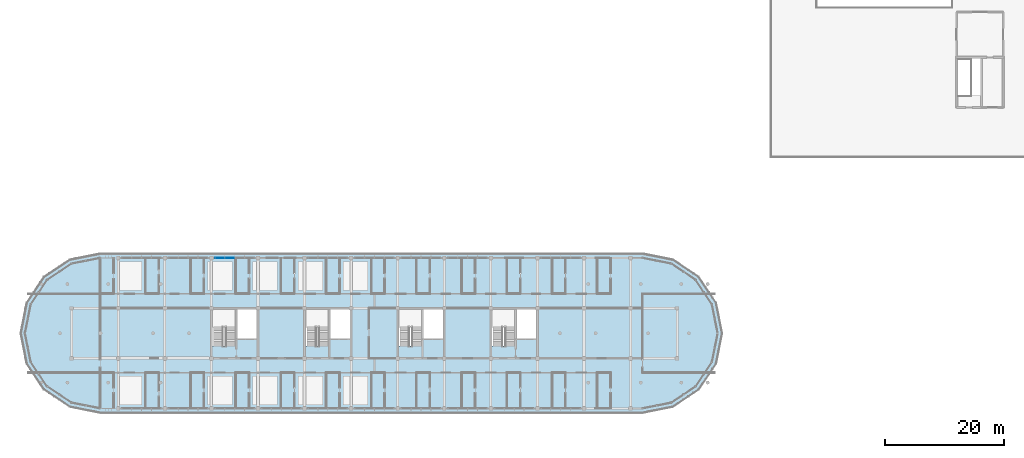
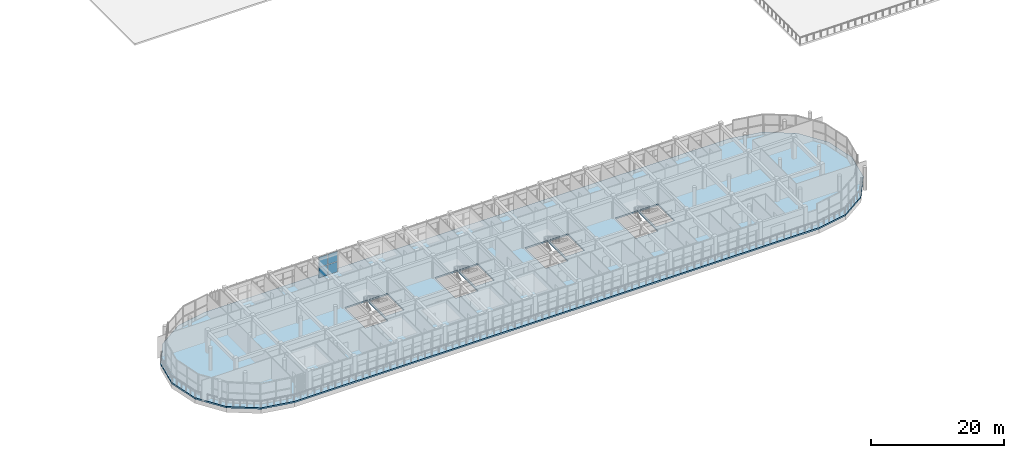
# One storey, part 43 of 63: 4 plates, 1 slab, 1 element without a shape of its own.
"""IFC4 building model written with IfcOpenShell, lengths in metres."""

from ifc_helpers import new_model, si_unit, direction, frame, origin, origin_2d, place, context, subcontext, project, spatial, polyline, rectangle, outline, extrude, material, layer, layer_set, type_object, element, aggregate, save


model = new_model("IFC4")

# Units and contexts
model_context = context("Model", 3, precision=1e-05, world=origin(), true_north=direction((0.0, 1.0)))
body_context = subcontext(model_context, "Body", "Model", "MODEL_VIEW")
ifc_project = project(units=[si_unit("LENGTHUNIT", "METRE"), si_unit("AREAUNIT", "SQUARE_METRE"), si_unit("VOLUMEUNIT", "CUBIC_METRE"), si_unit("PLANEANGLEUNIT", "RADIAN"), si_unit("MASSUNIT", "GRAM", prefix="KILO")], contexts=[model_context])

# Site, building, storey
site_placement = place(None, origin())
site = spatial("IfcSite", under=ifc_project, at=site_placement, CompositionType="ELEMENT")
building_placement = place(site_placement, origin())
building = spatial("IfcBuilding", under=site, at=building_placement, Name="Zizhar Promenade General Hospital", CompositionType="ELEMENT")
storey_placement = place(building_placement, frame((0.0, 0.0, 18.0)))
storey = spatial("IfcBuildingStorey", under=building, at=storey_placement, Name="L04", CompositionType="ELEMENT", Elevation=18.0)

# Curtain wall, plates
ifc_material_1 = material(Name="Anodised aluminium 6063-T6 and low-E glass", Category="aluminium")
ifc_layer_1 = layer(ifc_material_1, 0.159912109375)
ifc_layer_set_1 = layer_set([ifc_layer_1], Name="Anodised aluminium 6063-T6 and low-E glass")
curtain_wall_type = type_object("IfcCurtainWallType", Name="CW-WARD-RIB", PredefinedType="NOTDEFINED", material=ifc_layer_set_1)
curtain_wall_placement = place(storey_placement, origin())
curtain_wall = element("IfcCurtainWall", 1, at=curtain_wall_placement, inside=storey, type_object=curtain_wall_type, Name="Ward Ribbon Curtain Wall L04-8-3", PredefinedType="NOTDEFINED")
ifc_material_2 = material(Name="Low-E solar-control glass", Category="glass")
ifc_layer_2 = layer(ifc_material_2, 0.031982421875)
ifc_layer_set_2 = layer_set([ifc_layer_2], Name="Low-E solar-control glass")
plate_type = type_object("IfcPlateType", Name="CWP-GLZ-32", PredefinedType="CURTAIN_PANEL", material=ifc_layer_set_2)
plate_1_placement = place(storey_placement, frame((48.22998046875, 25.199951171875, 0.06005859375), z_axis=(0.0, 0.0, 1.0), x_axis=(1.0, 0.0, 0.0)))
plate_1 = element("IfcPlate", 2, at=plate_1_placement, type_object=plate_type, Name="CW-13 panel 1.1", PredefinedType="CURTAIN_PANEL", context=body_context, shape_type="SweptSolid", body=[
    extrude(rectangle(XDim=1.5400390625, YDim=0.031982421875, at=origin_2d()), origin(), (0.0, 0.0, 1.0), 1.860107421875),
])
plate_2_placement = place(storey_placement, frame((48.22998046875, 25.199951171875, 1.97998046875), z_axis=(0.0, 0.0, 1.0), x_axis=(1.0, 0.0, 0.0)))
plate_2 = element("IfcPlate", 3, at=plate_2_placement, type_object=plate_type, Name="CW-13 panel 1.2", PredefinedType="CURTAIN_PANEL", context=body_context, shape_type="SweptSolid", body=[
    extrude(rectangle(XDim=1.5400390625, YDim=0.031982421875, at=origin_2d()), origin(), (0.0, 0.0, 1.0), 1.860107421875),
])
plate_3_placement = place(storey_placement, frame((49.8701171875, 25.199951171875, 0.06005859375), z_axis=(0.0, 0.0, 1.0), x_axis=(1.0, 0.0, 0.0)))
plate_3 = element("IfcPlate", 4, at=plate_3_placement, type_object=plate_type, Name="CW-13 panel 2.1", PredefinedType="CURTAIN_PANEL", context=body_context, shape_type="SweptSolid", body=[
    extrude(rectangle(XDim=1.580078125, YDim=0.031982421875, at=origin_2d()), origin(), (0.0, 0.0, 1.0), 1.860107421875),
])
plate_4_placement = place(storey_placement, frame((49.8701171875, 25.199951171875, 1.97998046875), z_axis=(0.0, 0.0, 1.0), x_axis=(1.0, 0.0, 0.0)))
plate_4 = element("IfcPlate", 5, at=plate_4_placement, type_object=plate_type, Name="CW-13 panel 2.2", PredefinedType="CURTAIN_PANEL", context=body_context, shape_type="SweptSolid", body=[
    extrude(rectangle(XDim=1.580078125, YDim=0.031982421875, at=origin_2d()), origin(), (0.0, 0.0, 1.0), 1.860107421875),
])
aggregate(curtain_wall, [plate_1, plate_2, plate_3, plate_4])

# Slab
ifc_material_3 = material(Name="Concrete C35/45", Category="concrete")
ifc_layer_3 = layer(ifc_material_3, 0.280029296875)
ifc_layer_set_3 = layer_set([ifc_layer_3], Name="Concrete C35/45")
slab_type = type_object("IfcSlabType", Name="SLB-FLR-280", PredefinedType="FLOOR", material=ifc_layer_set_3)
slab_placement = place(storey_placement, frame((0.0, 0.0, -0.280029296875)))
element("IfcSlab", 6, at=slab_placement, inside=storey, type_object=slab_type, Name="Level L04 Inpatient Ward Pillow Floor Slab", PredefinedType="FLOOR", context=body_context, shape_type="SweptSolid", body=[
    extrude(outline(polyline([(119.0, -0.85009765625), (124.147216796875, 0.173828125), (128.510498046875, 3.08935546875), (131.42626953125, 7.452880859375), (132.449951171875, 12.60009765625), (131.42626953125, 17.7470703125), (128.510498046875, 22.110595703125), (124.147216796875, 25.026123046875), (119.0, 26.050048828125), (28.199951171875, 26.050048828125), (23.052978515625, 25.026123046875), (18.689453125, 22.110595703125), (15.773681640625, 17.7470703125), (14.75, 12.60009765625), (15.773681640625, 7.452880859375), (18.689453125, 3.08935546875), (23.052978515625, 0.173828125), (28.199951171875, -0.85009765625), (119.0, -0.85009765625)]), holes=[polyline([(46.97998046875, 10.429931640625), (46.97998046875, 16.6201171875), (50.8798828125, 16.6201171875), (50.8798828125, 10.429931640625), (46.97998046875, 10.429931640625)]), polyline([(51.14990234375, 11.6201171875), (51.14990234375, 16.580078125), (54.3798828125, 16.580078125), (54.3798828125, 11.6201171875), (51.14990234375, 11.6201171875)]), polyline([(62.580078125, 10.429931640625), (62.580078125, 16.6201171875), (66.47998046875, 16.6201171875), (66.47998046875, 10.429931640625), (62.580078125, 10.429931640625)]), polyline([(66.75, 11.6201171875), (66.75, 16.580078125), (69.97998046875, 16.580078125), (69.97998046875, 11.6201171875), (66.75, 11.6201171875)]), polyline([(78.179931640625, 10.429931640625), (78.179931640625, 16.6201171875), (82.080078125, 16.6201171875), (82.080078125, 10.429931640625), (78.179931640625, 10.429931640625)]), polyline([(82.35009765625, 11.6201171875), (82.35009765625, 16.580078125), (85.580078125, 16.580078125), (85.580078125, 11.6201171875), (82.35009765625, 11.6201171875)]), polyline([(93.780029296875, 10.429931640625), (93.780029296875, 16.6201171875), (97.679931640625, 16.6201171875), (97.679931640625, 10.429931640625), (93.780029296875, 10.429931640625)]), polyline([(97.949951171875, 11.6201171875), (97.949951171875, 16.580078125), (101.179931640625, 16.580078125), (101.179931640625, 11.6201171875), (97.949951171875, 11.6201171875)])]), origin(), (0.0, 0.0, 1.0), 0.280029296875),
])

save(model, "model.ifc")
